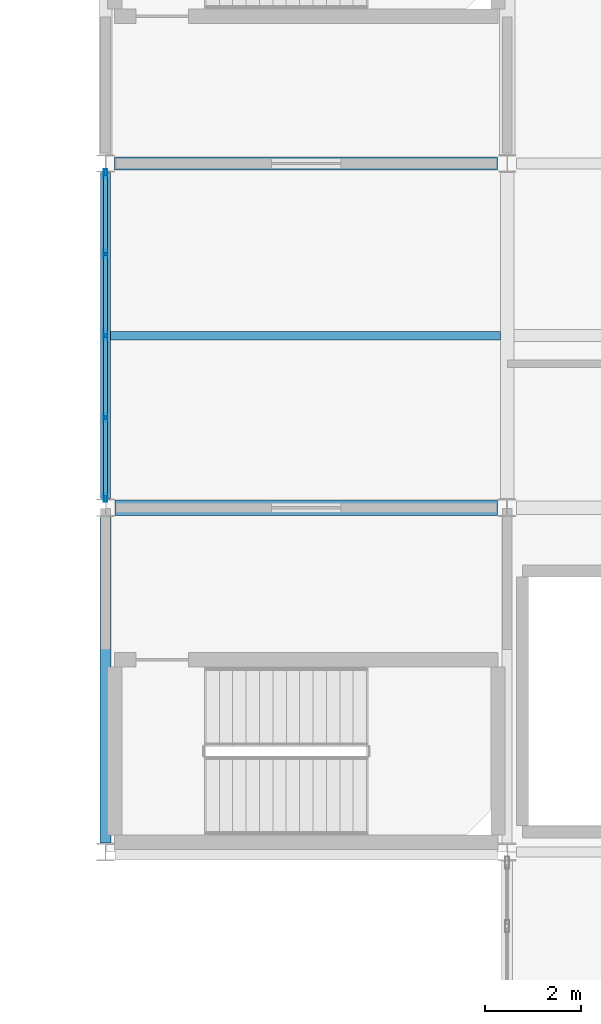
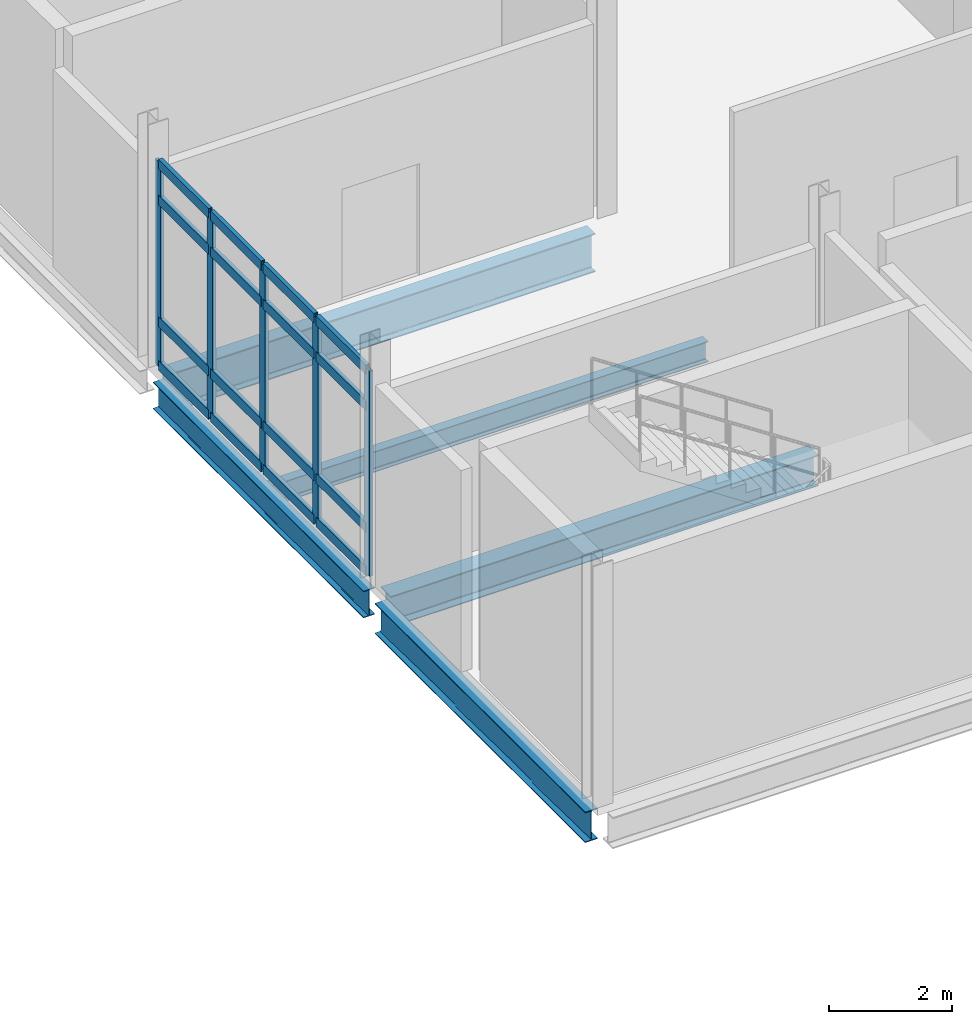
# One storey, part 99 of 186: 21 members, 5 beams, 1 element without a shape of its own.
"""IFC4 building model written with IfcOpenShell, lengths in metres."""

from ifc_helpers import new_model, si_unit, direction, frame, origin, origin_2d, place, context, subcontext, project, spatial, hollow_rectangle, i_section, extrude, material, layer, layer_set, material_profile, profile_set, type_object, element, aggregate, save


model = new_model("IFC4")

# Units and contexts
model_context = context("Model", 3, precision=1e-05, world=origin(), true_north=direction((0.0, 1.0)))
body_context = subcontext(model_context, "Body", "Model", "MODEL_VIEW")
ifc_project = project(units=[si_unit("LENGTHUNIT", "METRE"), si_unit("AREAUNIT", "SQUARE_METRE"), si_unit("VOLUMEUNIT", "CUBIC_METRE"), si_unit("PLANEANGLEUNIT", "RADIAN"), si_unit("MASSUNIT", "GRAM", prefix="KILO")], contexts=[model_context])

# Site, building, storey
site_placement = place(None, origin())
site = spatial("IfcSite", under=ifc_project, at=site_placement, CompositionType="ELEMENT")
building_placement = place(site_placement, origin())
building = spatial("IfcBuilding", under=site, at=building_placement, Name="Calvrana Isthmian Art Gallery", CompositionType="ELEMENT")
storey_placement = place(building_placement, frame((0.0, 0.0, 5.39990234375)))
storey = spatial("IfcBuildingStorey", under=building, at=storey_placement, Name="L01", CompositionType="ELEMENT", Elevation=5.39990234375)

# Beams
ifc_material_1 = material(Name="Steel ASTM A992 Gr 50", Category="steel")
ifc_material_profile_1 = material_profile(ifc_material_1, i_section(OverallWidth=0.208984375, OverallDepth=0.532958984375, WebThickness=0.01025390625, FlangeThickness=0.015625, FilletRadius=0.02099609375, at=origin_2d()), Name="W21X62")
ifc_profile_set_1 = profile_set([ifc_material_profile_1], Name="Steel ASTM A992 Gr 50")
beam_type_1 = type_object("IfcBeamType", Name="BM-G-W21X62", PredefinedType="BEAM", material=ifc_profile_set_1)
beam_1_placement = place(storey_placement, frame((104.39990234375, 84.193115234375, -0.5712890625), z_axis=(0.0, 1.0, 0.0), x_axis=(-1.0, 0.0, 0.0)))
element("IfcBeam", 1, at=beam_1_placement, inside=storey, type_object=beam_type_1, Name="Girder Y L01 14/L-M", PredefinedType="BEAM", context=body_context, shape_type="SweptSolid", body=[
    extrude(i_section(OverallWidth=0.208984375, OverallDepth=0.532958984375, WebThickness=0.01025390625, FlangeThickness=0.015625, FilletRadius=0.02099609375, at=origin_2d()), origin(), (0.0, 0.0, 1.0), 6.8203125),
])
ifc_material_profile_2 = material_profile(ifc_material_1, i_section(OverallWidth=0.324951171875, OverallDepth=0.612060546875, WebThickness=0.0126953125, FlangeThickness=0.01904296875, FilletRadius=0.02197265625, at=origin_2d()), Name="W24X104")
ifc_profile_set_2 = profile_set([ifc_material_profile_2], Name="Steel ASTM A992 Gr 50")
beam_type_2 = type_object("IfcBeamType", Name="BM-G-W24X104", PredefinedType="BEAM", material=ifc_profile_set_2)
beam_2_placement = place(storey_placement, frame((104.599609375, 84.0, -0.61083984375), z_axis=(1.0, 0.0, 0.0), x_axis=(0.0, 1.0, 0.0)))
element("IfcBeam", 2, at=beam_2_placement, inside=storey, type_object=beam_type_2, Name="Girder X L01 14-15/L", PredefinedType="BEAM", context=body_context, shape_type="SweptSolid", body=[
    extrude(i_section(OverallWidth=0.324951171875, OverallDepth=0.612060546875, WebThickness=0.0126953125, FlangeThickness=0.01904296875, FilletRadius=0.02197265625, at=origin_2d()), origin(), (0.0, 0.0, 1.0), 8.00244140625),
])
ifc_material_profile_3 = material_profile(ifc_material_1, i_section(OverallWidth=0.22802734375, OverallDepth=0.60693359375, WebThickness=0.01123046875, FlangeThickness=0.017333984375, FilletRadius=0.02197265625, at=origin_2d()), Name="W24X76")
ifc_profile_set_3 = profile_set([ifc_material_profile_3], Name="Steel ASTM A992 Gr 50")
beam_type_3 = type_object("IfcBeamType", Name="BM-G-W24X76", PredefinedType="BEAM", material=ifc_profile_set_3)
beam_3_placement = place(storey_placement, frame((104.39990234375, 76.990478515625, -0.6083984375), z_axis=(0.0, 1.0, 0.0), x_axis=(-1.0, 0.0, 0.0)))
element("IfcBeam", 3, at=beam_3_placement, inside=storey, type_object=beam_type_3, Name="Girder Y L01 14/K-L", PredefinedType="BEAM", context=body_context, shape_type="SweptSolid", body=[
    extrude(i_section(OverallWidth=0.22802734375, OverallDepth=0.60693359375, WebThickness=0.01123046875, FlangeThickness=0.017333984375, FilletRadius=0.02197265625, at=origin_2d()), origin(), (0.0, 0.0, 1.0), 6.81640625),
])
ifc_material_profile_4 = material_profile(ifc_material_1, i_section(OverallWidth=0.26708984375, OverallDepth=0.761962890625, WebThickness=0.014404296875, FlangeThickness=0.021484375, FilletRadius=0.02490234375, at=origin_2d()), Name="W30X116")
ifc_profile_set_4 = profile_set([ifc_material_profile_4], Name="Steel ASTM A992 Gr 50")
beam_type_4 = type_object("IfcBeamType", Name="BM-G-W30X116", PredefinedType="BEAM", material=ifc_profile_set_4)
beam_4_placement = place(storey_placement, frame((104.58642578125, 91.199951171875, -0.685791015625), z_axis=(1.0, 0.0, 0.0), x_axis=(0.0, 1.0, 0.0)))
element("IfcBeam", 4, at=beam_4_placement, inside=storey, type_object=beam_type_4, Name="Girder X L01 14-15/M", PredefinedType="BEAM", context=body_context, shape_type="SweptSolid", body=[
    extrude(i_section(OverallWidth=0.26708984375, OverallDepth=0.761962890625, WebThickness=0.014404296875, FlangeThickness=0.021484375, FilletRadius=0.02490234375, at=origin_2d()), origin(), (0.0, 0.0, 1.0), 8.01416015625),
])
ifc_material_profile_5 = material_profile(ifc_material_1, i_section(OverallWidth=0.177978515625, OverallDepth=0.404052734375, WebThickness=0.007568359375, FlangeThickness=0.010986328125, FilletRadius=0.01806640625, at=origin_2d()), Name="W16X36")
ifc_profile_set_5 = profile_set([ifc_material_profile_5], Name="Steel ASTM A992 Gr 50")
beam_type_5 = type_object("IfcBeamType", Name="BM-J-W16X36", PredefinedType="JOIST", material=ifc_profile_set_5)
beam_5_placement = place(storey_placement, frame((104.50439453125, 87.60009765625, -0.5068359375), z_axis=(1.0, 0.0, 0.0), x_axis=(0.0, 1.0, 0.0)))
element("IfcBeam", 5, at=beam_5_placement, inside=storey, type_object=beam_type_5, Name="Composite joist L01 bay 13-11", PredefinedType="JOIST", context=body_context, shape_type="SweptSolid", body=[
    extrude(i_section(OverallWidth=0.177978515625, OverallDepth=0.404052734375, WebThickness=0.007568359375, FlangeThickness=0.010986328125, FilletRadius=0.01806640625, at=origin_2d()), origin(), (0.0, 0.0, 1.0), 8.156005859375),
])

# Curtain wall, members
ifc_material_2 = material(Name="Anodized bronze aluminium 6063-T6", Category="aluminium")
ifc_layer = layer(ifc_material_2, 0.179931640625, Name="Anodized bronze aluminium 6063-T6")
ifc_layer_set = layer_set([ifc_layer], Name="Anodized bronze aluminium 6063-T6")
curtain_wall_type = type_object("IfcCurtainWallType", Name="CW-STICK-068X41", PredefinedType="NOTDEFINED", material=ifc_layer_set)
curtain_wall_placement = place(storey_placement, origin())
curtain_wall = element("IfcCurtainWall", 6, at=curtain_wall_placement, inside=storey, type_object=curtain_wall_type, Name="Curtain wall CW-134", PredefinedType="NOTDEFINED")
ifc_material_profile_6 = material_profile(ifc_material_2, hollow_rectangle(XDim=0.06494140625, YDim=0.179931640625, WallThickness=0.00439453125, at=origin_2d()), Name="CWM65X180")
ifc_profile_set_6 = profile_set([ifc_material_profile_6], Name="Anodized bronze aluminium 6063-T6")
member_type_1 = type_object("IfcMemberType", Name="CWM-CWM65X180", PredefinedType="MULLION", material=ifc_profile_set_6)
member_1_placement = place(storey_placement, frame((104.39990234375, 84.21044921875, 0.0), z_axis=(0.0, 0.0, 1.0), x_axis=(-1.0, 0.0, 0.0)))
member_1 = element("IfcMember", 7, at=member_1_placement, type_object=member_type_1, Name="CW-134 mullion 1", PredefinedType="MULLION", context=body_context, shape_type="SweptSolid", body=[
    extrude(hollow_rectangle(XDim=0.06494140625, YDim=0.179931640625, WallThickness=0.00439453125, at=origin_2d()), origin(), (0.0, 0.0, 1.0), 4.05810546875),
])
member_2_placement = place(storey_placement, frame((104.39990234375, 85.88818359375, 0.0), z_axis=(0.0, 0.0, 1.0), x_axis=(-1.0, 0.0, 0.0)))
member_2 = element("IfcMember", 8, at=member_2_placement, type_object=member_type_1, Name="CW-134 mullion 2", PredefinedType="MULLION", context=body_context, shape_type="SweptSolid", body=[
    extrude(hollow_rectangle(XDim=0.06494140625, YDim=0.179931640625, WallThickness=0.00439453125, at=origin_2d()), origin(), (0.0, 0.0, 1.0), 4.05810546875),
])
member_3_placement = place(storey_placement, frame((104.39990234375, 87.59814453125, 0.0), z_axis=(0.0, 0.0, 1.0), x_axis=(-1.0, 0.0, 0.0)))
member_3 = element("IfcMember", 9, at=member_3_placement, type_object=member_type_1, Name="CW-134 mullion 3", PredefinedType="MULLION", context=body_context, shape_type="SweptSolid", body=[
    extrude(hollow_rectangle(XDim=0.06494140625, YDim=0.179931640625, WallThickness=0.00439453125, at=origin_2d()), origin(), (0.0, 0.0, 1.0), 4.05810546875),
])
member_4_placement = place(storey_placement, frame((104.39990234375, 89.308349609375, 0.0), z_axis=(0.0, 0.0, 1.0), x_axis=(-1.0, 0.0, 0.0)))
member_4 = element("IfcMember", 10, at=member_4_placement, type_object=member_type_1, Name="CW-134 mullion 4", PredefinedType="MULLION", context=body_context, shape_type="SweptSolid", body=[
    extrude(hollow_rectangle(XDim=0.06494140625, YDim=0.179931640625, WallThickness=0.00439453125, at=origin_2d()), origin(), (0.0, 0.0, 1.0), 4.05810546875),
])
member_5_placement = place(storey_placement, frame((104.39990234375, 90.986083984375, 0.0), z_axis=(0.0, 0.0, 1.0), x_axis=(-1.0, 0.0, 0.0)))
member_5 = element("IfcMember", 11, at=member_5_placement, type_object=member_type_1, Name="CW-134 mullion 5", PredefinedType="MULLION", context=body_context, shape_type="SweptSolid", body=[
    extrude(hollow_rectangle(XDim=0.06494140625, YDim=0.179931640625, WallThickness=0.00439453125, at=origin_2d()), origin(), (0.0, 0.0, 1.0), 4.05810546875),
])
ifc_material_profile_7 = material_profile(ifc_material_2, hollow_rectangle(XDim=0.074951171875, YDim=0.18994140625, WallThickness=0.00439453125, at=origin_2d()), Name="CWT75X190")
ifc_profile_set_7 = profile_set([ifc_material_profile_7], Name="Anodized bronze aluminium 6063-T6")
member_type_2 = type_object("IfcMemberType", Name="CWT-CWT75X190", PredefinedType="USERDEFINED", material=ifc_profile_set_7)
member_6_placement = place(storey_placement, frame((104.39990234375, 84.242919921875, 0.03759765625), z_axis=(0.0, 1.0, 0.0), x_axis=(-1.0, 0.0, 0.0)))
member_6 = element("IfcMember", 12, at=member_6_placement, type_object=member_type_2, Name="CW-134 transom 1.1", ObjectType="TRANSOM", PredefinedType="USERDEFINED", context=body_context, shape_type="SweptSolid", body=[
    extrude(hollow_rectangle(XDim=0.074951171875, YDim=0.18994140625, WallThickness=0.00439453125, at=origin_2d()), origin(), (0.0, 0.0, 1.0), 1.61279296875),
])
member_7_placement = place(storey_placement, frame((104.39990234375, 84.242919921875, 0.900146484375), z_axis=(0.0, 1.0, 0.0), x_axis=(-1.0, 0.0, 0.0)))
member_7 = element("IfcMember", 13, at=member_7_placement, type_object=member_type_2, Name="CW-134 transom 1.2", ObjectType="TRANSOM", PredefinedType="USERDEFINED", context=body_context, shape_type="SweptSolid", body=[
    extrude(hollow_rectangle(XDim=0.074951171875, YDim=0.18994140625, WallThickness=0.00439453125, at=origin_2d()), origin(), (0.0, 0.0, 1.0), 1.61279296875),
])
member_8_placement = place(storey_placement, frame((104.39990234375, 84.242919921875, 3.30810546875), z_axis=(0.0, 1.0, 0.0), x_axis=(-1.0, 0.0, 0.0)))
member_8 = element("IfcMember", 14, at=member_8_placement, type_object=member_type_2, Name="CW-134 transom 1.3", ObjectType="TRANSOM", PredefinedType="USERDEFINED", context=body_context, shape_type="SweptSolid", body=[
    extrude(hollow_rectangle(XDim=0.074951171875, YDim=0.18994140625, WallThickness=0.00439453125, at=origin_2d()), origin(), (0.0, 0.0, 1.0), 1.61279296875),
])
member_9_placement = place(storey_placement, frame((104.39990234375, 84.242919921875, 4.0205078125), z_axis=(0.0, 1.0, 0.0), x_axis=(-1.0, 0.0, 0.0)))
member_9 = element("IfcMember", 15, at=member_9_placement, type_object=member_type_2, Name="CW-134 transom 1.4", ObjectType="TRANSOM", PredefinedType="USERDEFINED", context=body_context, shape_type="SweptSolid", body=[
    extrude(hollow_rectangle(XDim=0.074951171875, YDim=0.18994140625, WallThickness=0.00439453125, at=origin_2d()), origin(), (0.0, 0.0, 1.0), 1.61279296875),
])
member_10_placement = place(storey_placement, frame((104.39990234375, 85.920654296875, 0.03759765625), z_axis=(0.0, 1.0, 0.0), x_axis=(-1.0, 0.0, 0.0)))
member_10 = element("IfcMember", 16, at=member_10_placement, type_object=member_type_2, Name="CW-134 transom 2.1", ObjectType="TRANSOM", PredefinedType="USERDEFINED", context=body_context, shape_type="SweptSolid", body=[
    extrude(hollow_rectangle(XDim=0.074951171875, YDim=0.18994140625, WallThickness=0.00439453125, at=origin_2d()), origin(), (0.0, 0.0, 1.0), 1.64501953125),
])
member_11_placement = place(storey_placement, frame((104.39990234375, 85.920654296875, 0.900146484375), z_axis=(0.0, 1.0, 0.0), x_axis=(-1.0, 0.0, 0.0)))
member_11 = element("IfcMember", 17, at=member_11_placement, type_object=member_type_2, Name="CW-134 transom 2.2", ObjectType="TRANSOM", PredefinedType="USERDEFINED", context=body_context, shape_type="SweptSolid", body=[
    extrude(hollow_rectangle(XDim=0.074951171875, YDim=0.18994140625, WallThickness=0.00439453125, at=origin_2d()), origin(), (0.0, 0.0, 1.0), 1.64501953125),
])
member_12_placement = place(storey_placement, frame((104.39990234375, 85.920654296875, 3.30810546875), z_axis=(0.0, 1.0, 0.0), x_axis=(-1.0, 0.0, 0.0)))
member_12 = element("IfcMember", 18, at=member_12_placement, type_object=member_type_2, Name="CW-134 transom 2.3", ObjectType="TRANSOM", PredefinedType="USERDEFINED", context=body_context, shape_type="SweptSolid", body=[
    extrude(hollow_rectangle(XDim=0.074951171875, YDim=0.18994140625, WallThickness=0.00439453125, at=origin_2d()), origin(), (0.0, 0.0, 1.0), 1.64501953125),
])
member_13_placement = place(storey_placement, frame((104.39990234375, 85.920654296875, 4.0205078125), z_axis=(0.0, 1.0, 0.0), x_axis=(-1.0, 0.0, 0.0)))
member_13 = element("IfcMember", 19, at=member_13_placement, type_object=member_type_2, Name="CW-134 transom 2.4", ObjectType="TRANSOM", PredefinedType="USERDEFINED", context=body_context, shape_type="SweptSolid", body=[
    extrude(hollow_rectangle(XDim=0.074951171875, YDim=0.18994140625, WallThickness=0.00439453125, at=origin_2d()), origin(), (0.0, 0.0, 1.0), 1.64501953125),
])
member_14_placement = place(storey_placement, frame((104.39990234375, 87.630859375, 0.03759765625), z_axis=(0.0, 1.0, 0.0), x_axis=(-1.0, 0.0, 0.0)))
member_14 = element("IfcMember", 20, at=member_14_placement, type_object=member_type_2, Name="CW-134 transom 3.1", ObjectType="TRANSOM", PredefinedType="USERDEFINED", context=body_context, shape_type="SweptSolid", body=[
    extrude(hollow_rectangle(XDim=0.074951171875, YDim=0.18994140625, WallThickness=0.00439453125, at=origin_2d()), origin(), (0.0, 0.0, 1.0), 1.64501953125),
])
member_15_placement = place(storey_placement, frame((104.39990234375, 87.630859375, 0.900146484375), z_axis=(0.0, 1.0, 0.0), x_axis=(-1.0, 0.0, 0.0)))
member_15 = element("IfcMember", 21, at=member_15_placement, type_object=member_type_2, Name="CW-134 transom 3.2", ObjectType="TRANSOM", PredefinedType="USERDEFINED", context=body_context, shape_type="SweptSolid", body=[
    extrude(hollow_rectangle(XDim=0.074951171875, YDim=0.18994140625, WallThickness=0.00439453125, at=origin_2d()), origin(), (0.0, 0.0, 1.0), 1.64501953125),
])
member_16_placement = place(storey_placement, frame((104.39990234375, 87.630859375, 3.30810546875), z_axis=(0.0, 1.0, 0.0), x_axis=(-1.0, 0.0, 0.0)))
member_16 = element("IfcMember", 22, at=member_16_placement, type_object=member_type_2, Name="CW-134 transom 3.3", ObjectType="TRANSOM", PredefinedType="USERDEFINED", context=body_context, shape_type="SweptSolid", body=[
    extrude(hollow_rectangle(XDim=0.074951171875, YDim=0.18994140625, WallThickness=0.00439453125, at=origin_2d()), origin(), (0.0, 0.0, 1.0), 1.64501953125),
])
member_17_placement = place(storey_placement, frame((104.39990234375, 87.630859375, 4.0205078125), z_axis=(0.0, 1.0, 0.0), x_axis=(-1.0, 0.0, 0.0)))
member_17 = element("IfcMember", 23, at=member_17_placement, type_object=member_type_2, Name="CW-134 transom 3.4", ObjectType="TRANSOM", PredefinedType="USERDEFINED", context=body_context, shape_type="SweptSolid", body=[
    extrude(hollow_rectangle(XDim=0.074951171875, YDim=0.18994140625, WallThickness=0.00439453125, at=origin_2d()), origin(), (0.0, 0.0, 1.0), 1.64501953125),
])
member_18_placement = place(storey_placement, frame((104.39990234375, 89.3408203125, 0.03759765625), z_axis=(0.0, 1.0, 0.0), x_axis=(-1.0, 0.0, 0.0)))
member_18 = element("IfcMember", 24, at=member_18_placement, type_object=member_type_2, Name="CW-134 transom 4.1", ObjectType="TRANSOM", PredefinedType="USERDEFINED", context=body_context, shape_type="SweptSolid", body=[
    extrude(hollow_rectangle(XDim=0.074951171875, YDim=0.18994140625, WallThickness=0.00439453125, at=origin_2d()), origin(), (0.0, 0.0, 1.0), 1.61279296875),
])
member_19_placement = place(storey_placement, frame((104.39990234375, 89.3408203125, 0.900146484375), z_axis=(0.0, 1.0, 0.0), x_axis=(-1.0, 0.0, 0.0)))
member_19 = element("IfcMember", 25, at=member_19_placement, type_object=member_type_2, Name="CW-134 transom 4.2", ObjectType="TRANSOM", PredefinedType="USERDEFINED", context=body_context, shape_type="SweptSolid", body=[
    extrude(hollow_rectangle(XDim=0.074951171875, YDim=0.18994140625, WallThickness=0.00439453125, at=origin_2d()), origin(), (0.0, 0.0, 1.0), 1.61279296875),
])
member_20_placement = place(storey_placement, frame((104.39990234375, 89.3408203125, 3.30810546875), z_axis=(0.0, 1.0, 0.0), x_axis=(-1.0, 0.0, 0.0)))
member_20 = element("IfcMember", 26, at=member_20_placement, type_object=member_type_2, Name="CW-134 transom 4.3", ObjectType="TRANSOM", PredefinedType="USERDEFINED", context=body_context, shape_type="SweptSolid", body=[
    extrude(hollow_rectangle(XDim=0.074951171875, YDim=0.18994140625, WallThickness=0.00439453125, at=origin_2d()), origin(), (0.0, 0.0, 1.0), 1.61279296875),
])
member_21_placement = place(storey_placement, frame((104.39990234375, 89.3408203125, 4.0205078125), z_axis=(0.0, 1.0, 0.0), x_axis=(-1.0, 0.0, 0.0)))
member_21 = element("IfcMember", 27, at=member_21_placement, type_object=member_type_2, Name="CW-134 transom 4.4", ObjectType="TRANSOM", PredefinedType="USERDEFINED", context=body_context, shape_type="SweptSolid", body=[
    extrude(hollow_rectangle(XDim=0.074951171875, YDim=0.18994140625, WallThickness=0.00439453125, at=origin_2d()), origin(), (0.0, 0.0, 1.0), 1.61279296875),
])
aggregate(curtain_wall, [member_1, member_2, member_3, member_4, member_5, member_6, member_7, member_8, member_9, member_10, member_11, member_12, member_13, member_14, member_15, member_16, member_17, member_18, member_19, member_20, member_21])

save(model, "model.ifc")
